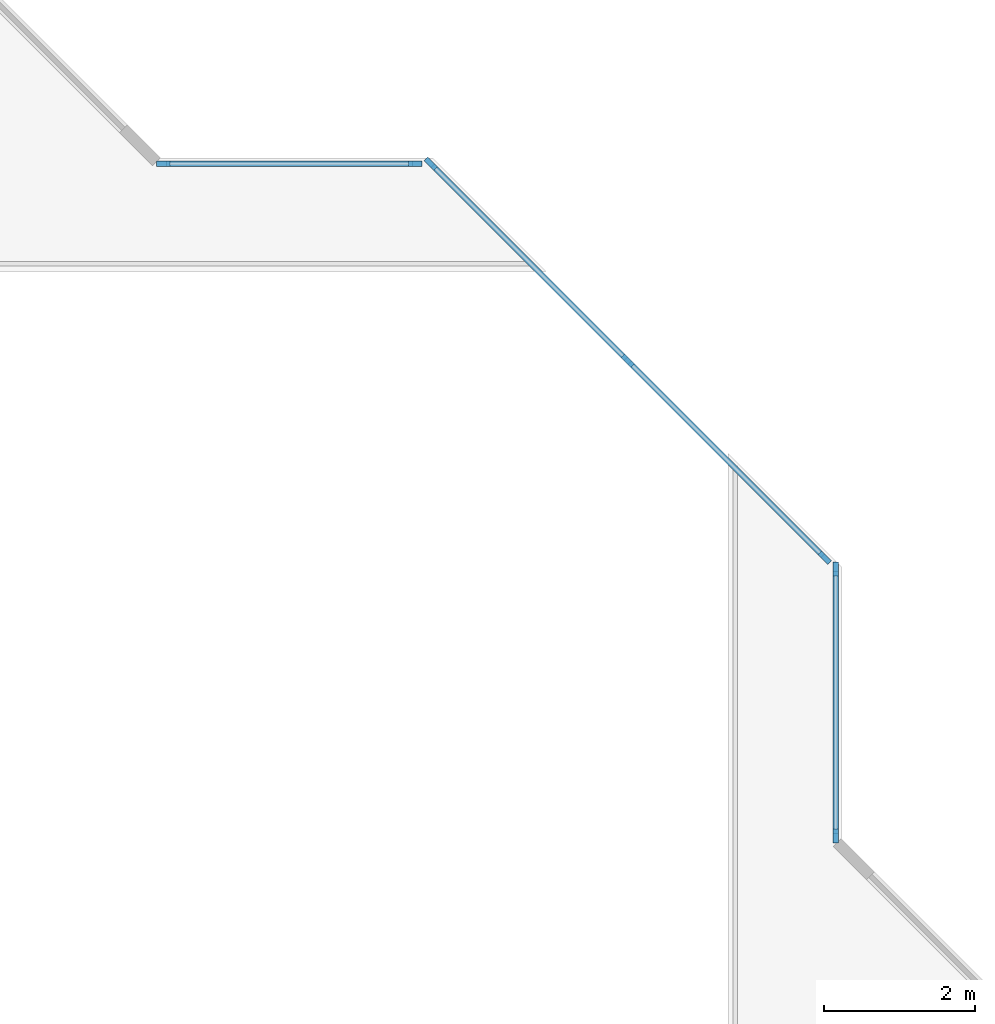
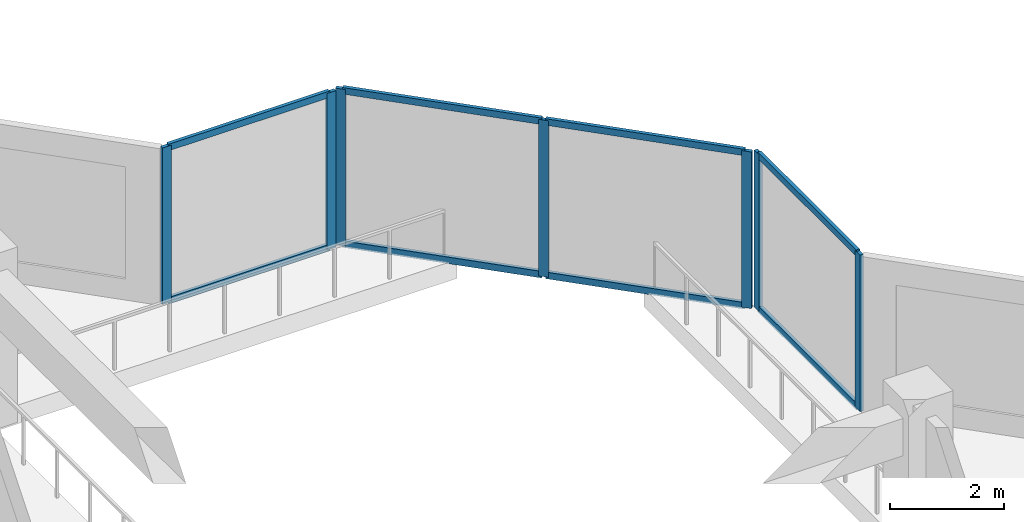
# One storey, part 2 of 15: 15 members, 3 elements without a shape of their own.
"""IFC4 building model written with IfcOpenShell, lengths in metres."""

import ifcopenshell
import ifcopenshell.guid

model = None  # the IFC model being written
_history = None  # IfcOwnerHistory: only IFC2X3 demands one
_inside = {}  # id of a spatial element -> (the spatial element, [elements in it])
_under = {}  # id of a project, library or spatial element -> (it, [spatial elements below it])
_declared = {}  # id of a project -> (the project, [libraries it declares])
_typed = {}  # id of a type object -> (the type object, [elements of that type])
_made_of = {}  # id of a material, layer set ... -> (it, [elements and type objects made of it])


def new_model(schema):
    """Start an empty IFC model of exactly this schema.

    Asked for "IFC4X3", IfcOpenShell would pick the latest addendum, in which some entities
    have other attributes; the version numbers below select the first issue.
    IFC2X3 requires an IfcOwnerHistory on every rooted entity: one is made here for all.
    """
    global model, _history
    if schema == "IFC4X3":
        model = ifcopenshell.file(schema_version=(4, 3, 0, 0))
    else:
        model = ifcopenshell.file(schema=schema)
    _inside.clear()
    _under.clear()
    _declared.clear()
    _typed.clear()
    _made_of.clear()
    _history = None
    if model.schema == "IFC2X3":
        org = make("IfcOrganization", Name="unknown")
        user = make(
            "IfcPersonAndOrganization",
            ThePerson=make("IfcPerson", FamilyName="unknown"),
            TheOrganization=org,
        )
        app = make(
            "IfcApplication",
            ApplicationDeveloper=org,
            Version="unknown",
            ApplicationFullName="unknown",
            ApplicationIdentifier="unknown",
        )
        _history = make(
            "IfcOwnerHistory",
            OwningUser=user,
            OwningApplication=app,
            ChangeAction="ADDED",
            CreationDate=0,
        )
    return model


def make(cls, **values):
    """One entity of the class cls with the attributes given. An attribute that is None is left unset."""
    return model.create_entity(
        cls, **{name: value for name, value in values.items() if value is not None}
    )


def rooted(cls, **values):
    """An entity with a GlobalId (a new one), such as an element, a storey or a relation."""
    return make(cls, GlobalId=ifcopenshell.guid.new(), OwnerHistory=_history, **values)


def si_unit(unit_type, name, prefix=None):
    """IfcSIUnit, for example si_unit("LENGTHUNIT", "METRE", prefix="MILLI")."""
    return make("IfcSIUnit", UnitType=unit_type, Prefix=prefix, Name=name)


def assignment(units):
    """IfcUnitAssignment: the units of a project."""
    return None if units is None else make("IfcUnitAssignment", Units=units)


def point(xyz):
    """IfcCartesianPoint."""
    return None if xyz is None else make("IfcCartesianPoint", Coordinates=xyz)


def direction(xyz):
    """IfcDirection."""
    return None if xyz is None else make("IfcDirection", DirectionRatios=xyz)


def frame(location, z_axis=None, x_axis=None):
    """IfcAxis2Placement3D, a coordinate frame: its origin and axes. An axis left out is left unset."""
    return make(
        "IfcAxis2Placement3D",
        Location=point(location),
        Axis=direction(z_axis),
        RefDirection=direction(x_axis),
    )


def frame_2d(location, x_axis=None):
    """IfcAxis2Placement2D, a coordinate frame in the plane: its origin and x axis."""
    return make(
        "IfcAxis2Placement2D", Location=point(location), RefDirection=direction(x_axis)
    )


def origin():
    """The frame at (0, 0, 0) with its axes left unset."""
    return frame((0.0, 0.0, 0.0))


def origin_2d():
    """The frame at (0, 0) in the plane with its x axis left unset."""
    return frame_2d((0.0, 0.0))


def place(relative_to, where):
    """IfcLocalPlacement: puts the frame where relative to a parent placement (None: the world)."""
    return make(
        "IfcLocalPlacement", PlacementRelTo=relative_to, RelativePlacement=where
    )


def context(
    kind, dimensions, precision=None, world=None, true_north=None, identifier=None
):
    """IfcGeometricRepresentationContext, for example the 3D "Model" context."""
    return make(
        "IfcGeometricRepresentationContext",
        ContextIdentifier=identifier,
        ContextType=kind,
        CoordinateSpaceDimension=dimensions,
        Precision=precision,
        WorldCoordinateSystem=world,
        TrueNorth=true_north,
    )


def subcontext(parent, identifier, kind, view, scale=None):
    """IfcGeometricRepresentationSubContext, for example "Body" below "Model"."""
    return make(
        "IfcGeometricRepresentationSubContext",
        ContextIdentifier=identifier,
        ContextType=kind,
        ParentContext=parent,
        TargetScale=scale,
        TargetView=view,
    )


def project(units=None, contexts=None):
    """IfcProject with its units and contexts."""
    return rooted(
        "IfcProject",
        Name="project",
        RepresentationContexts=contexts,
        UnitsInContext=assignment(units),
    )


def spatial(cls, under=None, at=None, **own):
    """A site, building, storey or space (cls), placed at a placement, below another one or the project."""
    s = rooted(cls, ObjectPlacement=at, **own)
    if under is not None:
        _under.setdefault(under.id(), (under, []))[1].append(s)
    return s


def profile(cls, at=None, kind="AREA", **sizes):
    """A parametric profile (cls). Its sizes go by their IFC names, for example OverallWidth=200.0."""
    return make(cls, ProfileType=kind, Position=at, **sizes)


def rectangle(**sizes):
    """IfcRectangleProfileDef."""
    return profile("IfcRectangleProfileDef", **sizes)


def extrude(swept, where, along, depth):
    """IfcExtrudedAreaSolid: the profile swept, set in the frame where, extruded along a direction by depth."""
    return make(
        "IfcExtrudedAreaSolid",
        SweptArea=swept,
        Position=where,
        ExtrudedDirection=direction(along),
        Depth=depth,
    )


def shape(context_of_items, identifier, shape_type, items):
    """IfcShapeRepresentation: the items that make up one representation, for example the "Body"."""
    return make(
        "IfcShapeRepresentation",
        ContextOfItems=context_of_items,
        RepresentationIdentifier=identifier,
        RepresentationType=shape_type,
        Items=items,
    )


def material(Name=None, Category=None):
    """IfcMaterial."""
    return make("IfcMaterial", Name=Name, Category=Category)


def layer(
    of_material, thickness, ventilated=None, Name=None, Category=None, Priority=None
):
    """IfcMaterialLayer: one layer of a wall or slab, of a material (None: an air gap)."""
    return make(
        "IfcMaterialLayer",
        Material=of_material,
        LayerThickness=thickness,
        IsVentilated=ventilated,
        Name=Name,
        Category=Category,
        Priority=Priority,
    )


def layer_set(layers, Name=None):
    """IfcMaterialLayerSet."""
    return make("IfcMaterialLayerSet", MaterialLayers=layers, LayerSetName=Name)


def material_profile(
    of_material, cross_section, Name=None, Category=None, Priority=None
):
    """IfcMaterialProfile: a cross section and its material."""
    return make(
        "IfcMaterialProfile",
        Name=Name,
        Material=of_material,
        Profile=cross_section,
        Priority=Priority,
        Category=Category,
    )


def profile_set(profiles, Name=None, composite=None):
    """IfcMaterialProfileSet."""
    return make(
        "IfcMaterialProfileSet",
        Name=Name,
        MaterialProfiles=profiles,
        CompositeProfile=composite,
    )


def made_of(thing, what):
    """Note that an element or type object is made of a material, layer set ...; save() writes the relation."""
    if what is not None:
        _made_of.setdefault(what.id(), (what, []))[1].append(thing)
    return thing


def type_object(cls, material=None, **own):
    """A type object (cls), such as IfcWallType, which elements share."""
    return made_of(rooted(cls, **own), material)


def element(
    cls,
    number,
    at=None,
    inside=None,
    cuts=None,
    type_object=None,
    material=None,
    context=None,
    identifier="Body",
    shape_type=None,
    held_by="IfcProductDefinitionShape",
    body=None,
    shapes=None,
    **own,
):
    """One element of the class cls, such as IfcWall. Its Tag is "e" and its number.

    at: its placement. inside: the storey or other place that contains it. cuts: it is an
    opening in that element (IfcRelVoidsElement). A single representation is given by context,
    identifier, shape_type and body (its items); several are given by shapes. held_by: the class
    of the entity that holds the representations. save() writes the other relations.
    """
    e = rooted(cls, Tag="e%d" % number, ObjectPlacement=at, **own)
    if body is not None:
        shapes = [shape(context, identifier, shape_type, body)]
    if shapes is not None:
        e.Representation = make(held_by, Representations=shapes)
    if inside is not None:
        _inside.setdefault(inside.id(), (inside, []))[1].append(e)
    if cuts is not None:
        rooted(
            "IfcRelVoidsElement", RelatingBuildingElement=cuts, RelatedOpeningElement=e
        )
    if type_object is not None:
        _typed.setdefault(type_object.id(), (type_object, []))[1].append(e)
    return made_of(e, material)


def aggregate(whole, parts):
    """IfcRelAggregates: a whole, such as a stair, and the parts it consists of."""
    return rooted("IfcRelAggregates", RelatingObject=whole, RelatedObjects=parts)


def save(model, path):
    """Write the relations noted so far, then the file.

    IfcRelAggregates (storeys below a building ...), IfcRelContainedInSpatialStructure (elements
    in a storey), IfcRelDefinesByType, IfcRelAssociatesMaterial and IfcRelDeclares: one each for
    every whole, place, type object, material and project.
    """
    for whole, parts in _under.values():
        aggregate(whole, parts)
    for where, things in _inside.values():
        rooted(
            "IfcRelContainedInSpatialStructure",
            RelatedElements=things,
            RelatingStructure=where,
        )
    for kind, things in _typed.values():
        rooted("IfcRelDefinesByType", RelatedObjects=things, RelatingType=kind)
    for what, things in _made_of.values():
        rooted("IfcRelAssociatesMaterial", RelatedObjects=things, RelatingMaterial=what)
    for by, libraries in _declared.values():
        rooted("IfcRelDeclares", RelatingContext=by, RelatedDefinitions=libraries)
    model.write(path)


model = new_model("IFC4")

# Units and contexts
model_context = context("Model", 3, precision=1e-05, world=origin(), true_north=direction((0.0, 1.0)))
body_context = subcontext(model_context, "Body", "Model", "MODEL_VIEW")
ifc_project = project(units=[si_unit("LENGTHUNIT", "METRE"), si_unit("AREAUNIT", "SQUARE_METRE"), si_unit("VOLUMEUNIT", "CUBIC_METRE"), si_unit("PLANEANGLEUNIT", "RADIAN"), si_unit("MASSUNIT", "GRAM", prefix="KILO")], contexts=[model_context])

# Site, building, storey
site_placement = place(None, origin())
site = spatial("IfcSite", under=ifc_project, at=site_placement, CompositionType="ELEMENT")
building_placement = place(site_placement, origin())
building = spatial("IfcBuilding", under=site, at=building_placement, Name="Chenar Terraces", CompositionType="ELEMENT")
storey_placement = place(building_placement, frame((0.0, 0.0, 176.14990234375)))
storey = spatial("IfcBuildingStorey", under=building, at=storey_placement, Name="L40", CompositionType="ELEMENT", Elevation=176.14990234375)

# Curtain wall, members
ifc_material_1 = material(Name="Aluminium framed glazing", Category="aluminium")
ifc_layer = layer(ifc_material_1, 0.14990234375)
ifc_layer_set = layer_set([ifc_layer], Name="Aluminium framed glazing")
curtain_wall_type = type_object("IfcCurtainWallType", Name="Atrium mid-zone curtain wall", PredefinedType="NOTDEFINED", material=ifc_layer_set)
placement = place(storey_placement, origin())
curtain_wall_1 = element("IfcCurtainWall", 1, at=placement, inside=storey, type_object=curtain_wall_type, Name="Atrium mid-zone curtain wall", PredefinedType="NOTDEFINED")
ifc_material_2 = material(Name="Aluminium", Category="aluminium")
ifc_material_profile_1 = material_profile(ifc_material_2, rectangle(XDim=0.070068359375, YDim=0.179931640625, at=origin_2d()), Name="Atrium mid-zone glazing mullion 70 x 180")
ifc_profile_set_1 = profile_set([ifc_material_profile_1], Name="Aluminium")
member_type_1 = type_object("IfcMemberType", Name="Atrium mid-zone glazing mullion 70 x 180", PredefinedType="MULLION", material=ifc_profile_set_1)
member_1_placement = place(storey_placement, frame((37.425048828125, 28.534912109375, 0.0), z_axis=(0.0, 0.0, 1.0), x_axis=(-1.0, 0.0, 0.0)))
member_1 = element("IfcMember", 2, at=member_1_placement, type_object=member_type_1, Name="CW7-1 mullion 1", PredefinedType="MULLION", context=body_context, shape_type="SweptSolid", body=[
    extrude(rectangle(XDim=0.070068359375, YDim=0.179931640625, at=origin_2d()), origin(), (0.0, 0.0, 1.0), 3.35009765625),
])
member_2_placement = place(storey_placement, frame((37.425048828125, 32.06494140625, 0.0), z_axis=(0.0, 0.0, 1.0), x_axis=(-1.0, 0.0, 0.0)))
member_2 = element("IfcMember", 3, at=member_2_placement, type_object=member_type_1, Name="CW7-1 mullion 2", PredefinedType="MULLION", context=body_context, shape_type="SweptSolid", body=[
    extrude(rectangle(XDim=0.070068359375, YDim=0.179931640625, at=origin_2d()), origin(), (0.0, 0.0, 1.0), 3.35009765625),
])

curtain_wall_2 = element("IfcCurtainWall", 4, at=placement, inside=storey, type_object=curtain_wall_type, Name="Atrium mid-zone curtain wall", PredefinedType="NOTDEFINED")
member_3_placement = place(storey_placement, frame((37.28076171875, 32.213134765625, 0.0), z_axis=(0.0, 0.0, 1.0), x_axis=(-0.707106781187, -0.707106781187, 0.0)))
member_3 = element("IfcMember", 5, at=member_3_placement, type_object=member_type_1, Name="CW7-2 mullion 1", PredefinedType="MULLION", context=body_context, shape_type="SweptSolid", body=[
    extrude(rectangle(XDim=0.070068359375, YDim=0.179931640625, at=origin_2d()), origin(), (0.0, 0.0, 1.0), 3.35009765625),
])
member_4_placement = place(storey_placement, frame((34.67626953125, 34.817626953125, 0.0), z_axis=(0.0, 0.0, 1.0), x_axis=(-0.707106781187, -0.707106781187, 0.0)))
member_4 = element("IfcMember", 6, at=member_4_placement, type_object=member_type_1, Name="CW7-2 mullion 2", PredefinedType="MULLION", context=body_context, shape_type="SweptSolid", body=[
    extrude(rectangle(XDim=0.070068359375, YDim=0.179931640625, at=origin_2d()), origin(), (0.0, 0.0, 1.0), 3.35009765625),
])
member_5_placement = place(storey_placement, frame((32.07177734375, 37.42236328125, 0.0), z_axis=(0.0, 0.0, 1.0), x_axis=(-0.707106781187, -0.707106781187, 0.0)))
member_5 = element("IfcMember", 7, at=member_5_placement, type_object=member_type_1, Name="CW7-2 mullion 3", PredefinedType="MULLION", context=body_context, shape_type="SweptSolid", body=[
    extrude(rectangle(XDim=0.070068359375, YDim=0.179931640625, at=origin_2d()), origin(), (0.0, 0.0, 1.0), 3.35009765625),
])

curtain_wall_3 = element("IfcCurtainWall", 8, at=placement, inside=storey, type_object=curtain_wall_type, Name="Atrium mid-zone curtain wall", PredefinedType="NOTDEFINED")
member_6_placement = place(storey_placement, frame((31.864990234375, 37.425048828125, 0.0), z_axis=(0.0, 0.0, 1.0), x_axis=(0.0, -1.0, 0.0)))
member_6 = element("IfcMember", 9, at=member_6_placement, type_object=member_type_1, Name="CW7-3 mullion 1", PredefinedType="MULLION", context=body_context, shape_type="SweptSolid", body=[
    extrude(rectangle(XDim=0.070068359375, YDim=0.179931640625, at=origin_2d()), origin(), (0.0, 0.0, 1.0), 3.35009765625),
])
member_7_placement = place(storey_placement, frame((28.534912109375, 37.425048828125, 0.0), z_axis=(0.0, 0.0, 1.0), x_axis=(0.0, -1.0, 0.0)))
member_7 = element("IfcMember", 10, at=member_7_placement, type_object=member_type_1, Name="CW7-3 mullion 2", PredefinedType="MULLION", context=body_context, shape_type="SweptSolid", body=[
    extrude(rectangle(XDim=0.070068359375, YDim=0.179931640625, at=origin_2d()), origin(), (0.0, 0.0, 1.0), 3.35009765625),
])

# Member
ifc_material_3 = material(Name="Aluminium", Category="aluminium")
ifc_material_profile_2 = material_profile(ifc_material_3, rectangle(XDim=0.070068359375, YDim=0.139892578125, at=origin_2d()), Name="Atrium mid-zone glazing transom 70 x 140")
ifc_profile_set_2 = profile_set([ifc_material_profile_2], Name="Aluminium")
member_type_2 = type_object("IfcMemberType", Name="Atrium mid-zone glazing transom 70 x 140", PredefinedType="USERDEFINED", material=ifc_profile_set_2)
member_8_placement = place(storey_placement, frame((37.425048828125, 28.570068359375, 0.03515625), z_axis=(0.0, 1.0, 0.0), x_axis=(-1.0, 0.0, 0.0)))
member_8 = element("IfcMember", 11, at=member_8_placement, type_object=member_type_2, Name="CW7-1 transom 1.1", ObjectType="TRANSOM", PredefinedType="USERDEFINED", context=body_context, shape_type="SweptSolid", body=[
    extrude(rectangle(XDim=0.070068359375, YDim=0.139892578125, at=origin_2d()), origin(), (0.0, 0.0, 1.0), 3.4599609375),
])

member_9_placement = place(storey_placement, frame((37.425048828125, 28.570068359375, 3.315185546875), z_axis=(0.0, 1.0, 0.0), x_axis=(-1.0, 0.0, 0.0)))
member_9 = element("IfcMember", 12, at=member_9_placement, type_object=member_type_2, Name="CW7-1 transom 1.2", ObjectType="TRANSOM", PredefinedType="USERDEFINED", context=body_context, shape_type="SweptSolid", body=[
    extrude(rectangle(XDim=0.070068359375, YDim=0.139892578125, at=origin_2d()), origin(), (0.0, 0.0, 1.0), 3.4599609375),
])

aggregate(curtain_wall_1, [member_1, member_2, member_8, member_9])

member_10_placement = place(storey_placement, frame((37.256103515625, 32.23779296875, 0.03515625), z_axis=(-0.707106781187, 0.707106781187, 0.0), x_axis=(-0.707106781187, -0.707106781187, 0.0)))
member_10 = element("IfcMember", 13, at=member_10_placement, type_object=member_type_2, Name="CW7-2 transom 1.1", ObjectType="TRANSOM", PredefinedType="USERDEFINED", context=body_context, shape_type="SweptSolid", body=[
    extrude(rectangle(XDim=0.070068359375, YDim=0.139892578125, at=origin_2d()), origin(), (0.0, 0.0, 1.0), 3.613525390625),
])

member_11_placement = place(storey_placement, frame((37.256103515625, 32.23779296875, 3.315185546875), z_axis=(-0.707106781187, 0.707106781187, 0.0), x_axis=(-0.707106781187, -0.707106781187, 0.0)))
member_11 = element("IfcMember", 14, at=member_11_placement, type_object=member_type_2, Name="CW7-2 transom 1.2", ObjectType="TRANSOM", PredefinedType="USERDEFINED", context=body_context, shape_type="SweptSolid", body=[
    extrude(rectangle(XDim=0.070068359375, YDim=0.139892578125, at=origin_2d()), origin(), (0.0, 0.0, 1.0), 3.613525390625),
])

member_12_placement = place(storey_placement, frame((34.651611328125, 34.842529296875, 0.03515625), z_axis=(-0.707140563131, 0.707072997628, 0.0), x_axis=(-0.707072997628, -0.707140563131, 0.0)))
member_12 = element("IfcMember", 15, at=member_12_placement, type_object=member_type_2, Name="CW7-2 transom 2.1", ObjectType="TRANSOM", PredefinedType="USERDEFINED", context=body_context, shape_type="SweptSolid", body=[
    extrude(rectangle(XDim=0.070068359375, YDim=0.139892578125, at=origin_2d()), origin(), (0.0, 0.0, 1.0), 3.61328125),
])

member_13_placement = place(storey_placement, frame((34.651611328125, 34.842529296875, 3.315185546875), z_axis=(-0.707140563131, 0.707072997628, 0.0), x_axis=(-0.707072997628, -0.707140563131, 0.0)))
member_13 = element("IfcMember", 16, at=member_13_placement, type_object=member_type_2, Name="CW7-2 transom 2.2", ObjectType="TRANSOM", PredefinedType="USERDEFINED", context=body_context, shape_type="SweptSolid", body=[
    extrude(rectangle(XDim=0.070068359375, YDim=0.139892578125, at=origin_2d()), origin(), (0.0, 0.0, 1.0), 3.61328125),
])

aggregate(curtain_wall_2, [member_3, member_4, member_5, member_10, member_11, member_12, member_13])

member_14_placement = place(storey_placement, frame((31.830078125, 37.425048828125, 0.03515625), z_axis=(-1.0, 0.0, 0.0), x_axis=(0.0, -1.0, 0.0)))
member_14 = element("IfcMember", 17, at=member_14_placement, type_object=member_type_2, Name="CW7-3 transom 1.1", ObjectType="TRANSOM", PredefinedType="USERDEFINED", context=body_context, shape_type="SweptSolid", body=[
    extrude(rectangle(XDim=0.070068359375, YDim=0.139892578125, at=origin_2d()), origin(), (0.0, 0.0, 1.0), 3.260009765625),
])

member_15_placement = place(storey_placement, frame((31.830078125, 37.425048828125, 3.315185546875), z_axis=(-1.0, 0.0, 0.0), x_axis=(0.0, -1.0, 0.0)))
member_15 = element("IfcMember", 18, at=member_15_placement, type_object=member_type_2, Name="CW7-3 transom 1.2", ObjectType="TRANSOM", PredefinedType="USERDEFINED", context=body_context, shape_type="SweptSolid", body=[
    extrude(rectangle(XDim=0.070068359375, YDim=0.139892578125, at=origin_2d()), origin(), (0.0, 0.0, 1.0), 3.260009765625),
])

aggregate(curtain_wall_3, [member_6, member_7, member_14, member_15])

save(model, "model.ifc")
